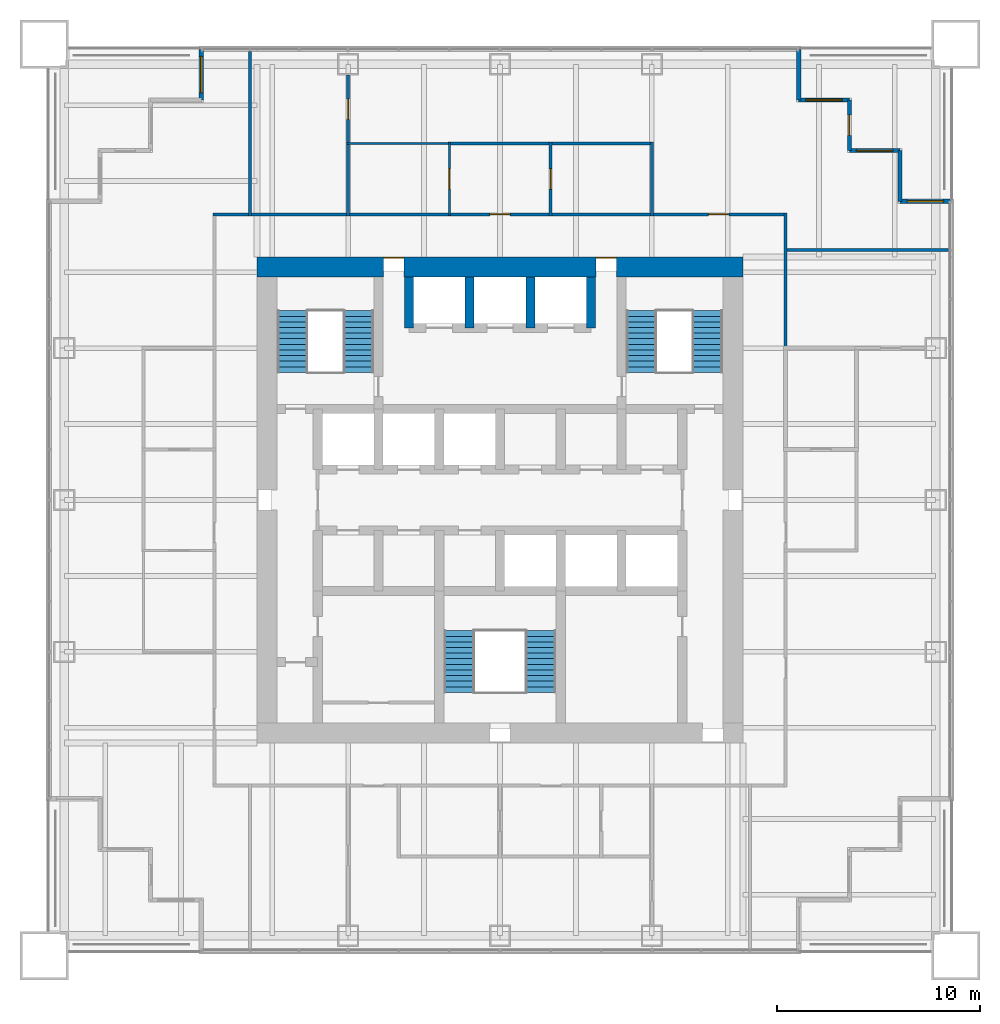
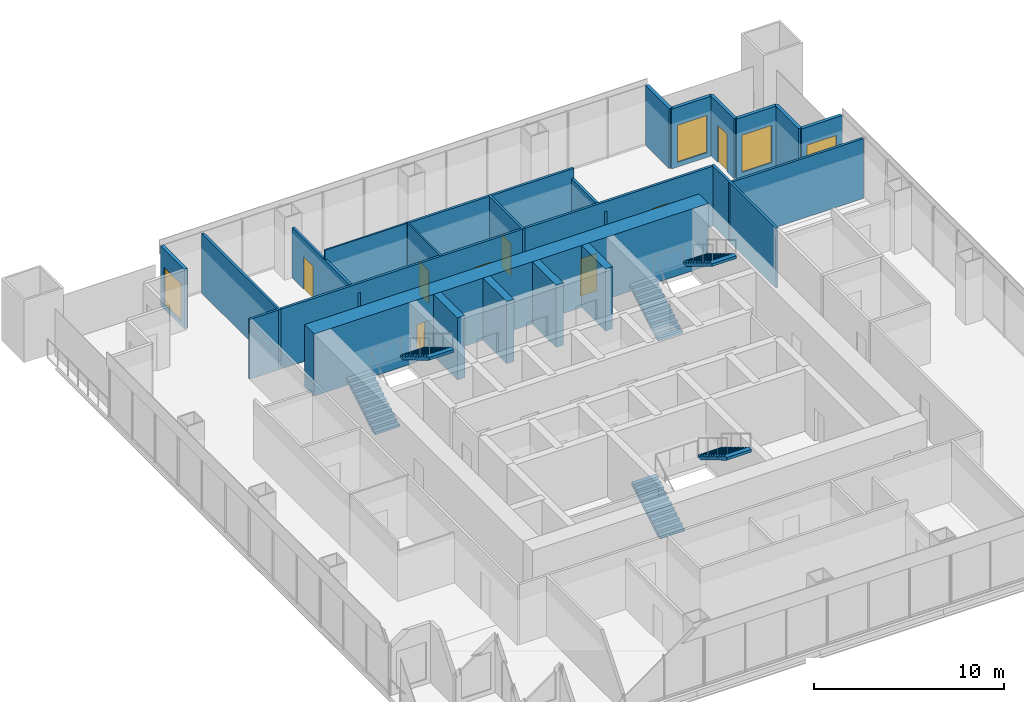
# One storey, part 11 of 13: 22 walls, 8 doors, 6 stair flights, 4 windows, 12 openings, 3 elements without a shape of their own.
"""IFC4 building model written with IfcOpenShell, lengths in metres."""

from ifc_helpers import new_model, si_unit, direction, frame, frame_2d, origin, place, context, subcontext, project, spatial, polyline, rectangle, outline, extrude, material, layer, layer_set, type_object, element, fill, aggregate, save


model = new_model("IFC4")

# Units and contexts
model_context = context("Model", 3, precision=1e-05, world=origin(), true_north=direction((0.0, 1.0)))
body_context = subcontext(model_context, "Body", "Model", "MODEL_VIEW")
ifc_project = project(units=[si_unit("LENGTHUNIT", "METRE"), si_unit("AREAUNIT", "SQUARE_METRE"), si_unit("VOLUMEUNIT", "CUBIC_METRE"), si_unit("PLANEANGLEUNIT", "RADIAN"), si_unit("MASSUNIT", "GRAM", prefix="KILO")], contexts=[model_context])

# Site, building, storey
site_placement = place(None, origin())
site = spatial("IfcSite", under=ifc_project, at=site_placement, CompositionType="ELEMENT")
building_placement = place(site_placement, origin())
building = spatial("IfcBuilding", under=site, at=building_placement, Name="Tarangal Relay Tower", CompositionType="ELEMENT")
storey_placement = place(building_placement, frame((0.0, 0.0, 209.89990234375)))
storey = spatial("IfcBuildingStorey", under=building, at=storey_placement, Name="L44", CompositionType="ELEMENT", Elevation=209.89990234375)

# Walls
ifc_material_1 = material(Name="Concrete fc' 60 MPa", Category="concrete")
ifc_layer_1 = layer(ifc_material_1, 0.449951171875)
ifc_layer_set_1 = layer_set([ifc_layer_1], Name="Core inner wall 450")
wall_type_1 = type_object("IfcWallType", Name="Core inner wall 450", PredefinedType="SHEAR", material=ifc_layer_set_1)
for number, where, z_axis, x_axis, name in (
    (1, (-4.5, 8.5, 0.0), (0.0, 0.0, 1.0), (0.0, 1.0, 0.0), "Core wall XM45 L44"),
    (2, (4.5, 8.5, 0.0), (0.0, 0.0, 1.0), (0.0, 1.0, 0.0), "Core wall X45 L44"),
    (3, (-1.5, 8.5, 0.0), (0.0, 0.0, 1.0), (0.0, 1.0, 0.0), "Core wall XM15 L44"),
    (4, (1.5, 8.5, 0.0), (0.0, 0.0, 1.0), (0.0, 1.0, 0.0), "Core wall X15 L44"),
):
    element("IfcWall", number, at=place(storey_placement, frame(where, z_axis=z_axis, x_axis=x_axis)), inside=storey, type_object=wall_type_1, Name=name, PredefinedType="SHEAR", context=body_context, shape_type="SweptSolid", body=[
        extrude(rectangle(XDim=2.5, YDim=0.449951171875, at=frame_2d((1.25, 0.0))), origin(), (0.0, 0.0, 1.0), 4.0),
    ])

# Wall, openings, doors
ifc_layer_2 = layer(ifc_material_1, 1.0)
ifc_layer_set_2 = layer_set([ifc_layer_2], Name="Core wall 1000")
wall_type_2 = type_object("IfcWallType", Name="Core wall 1000", PredefinedType="SHEAR", material=ifc_layer_set_2)
wall_1_placement = place(storey_placement, frame((-12.0, 11.5, 0.0), z_axis=(0.0, 0.0, 1.0), x_axis=(1.0, 0.0, 0.0)))
wall_1 = element("IfcWall", 5, at=wall_1_placement, inside=storey, type_object=wall_type_2, Name="Core wall N L44", PredefinedType="SHEAR", context=body_context, shape_type="SweptSolid", body=[
    extrude(rectangle(XDim=24.0, YDim=1.0, at=frame_2d((12.0, 0.0))), origin(), (0.0, 0.0, 1.0), 4.0),
])
opening_1_placement = place(wall_1_placement, frame((6.25, 0.0, 0.0)))
opening_1 = element("IfcOpeningElement", 6, at=opening_1_placement, cuts=wall_1, Name="Opening FD3", PredefinedType="OPENING", context=body_context, shape_type="SweptSolid", body=[
    extrude(rectangle(XDim=1.0, YDim=2.39990234375, at=frame_2d((0.5, 1.199951171875))), frame((0.0, 0.510009765625, 0.0), z_axis=(0.0, -1.0, 0.0), x_axis=(1.0, 0.0, 0.0)), (0.0, 0.0, 1.0), 1.02001953125),
])
opening_2_placement = place(wall_1_placement, frame((16.75, 0.0, 0.0)))
opening_2 = element("IfcOpeningElement", 7, at=opening_2_placement, cuts=wall_1, Name="Opening FD3", PredefinedType="OPENING", context=body_context, shape_type="SweptSolid", body=[
    extrude(rectangle(XDim=1.0, YDim=2.39990234375, at=frame_2d((0.5, 1.199951171875))), frame((0.0, 0.510009765625, 0.0), z_axis=(0.0, -1.0, 0.0), x_axis=(1.0, 0.0, 0.0)), (0.0, 0.0, 1.0), 1.02001953125),
])
ifc_material_2 = material(Name="Steel door with hardwood frame", Category="steel")
door_type_1 = type_object("IfcDoorType", Name="Fire door 1000 x 2400 core entry", OperationType="SINGLE_SWING_RIGHT", PredefinedType="DOOR", material=ifc_material_2)
door_1_placement = place(opening_1_placement, origin())
door_1 = element("IfcDoor", 8, at=door_1_placement, inside=storey, type_object=door_type_1, Name="Core entry door north west L44", OperationType="SINGLE_SWING_RIGHT", OverallHeight=2.39990234375, OverallWidth=1.0, PredefinedType="DOOR", context=body_context, shape_type="SweptSolid", body=[
    extrude(rectangle(XDim=1.0, YDim=2.39990234375, at=frame_2d((0.5, 1.199951171875))), frame((0.0, 0.48486328125, 0.0), z_axis=(0.0, -1.0, 0.0), x_axis=(1.0, 0.0, 0.0)), (0.0, 0.0, 1.0), 0.050048828125),
])
fill(opening_1, door_1)
door_2_placement = place(opening_2_placement, origin())
door_2 = element("IfcDoor", 9, at=door_2_placement, inside=storey, type_object=door_type_1, Name="Core entry door north east L44", OperationType="SINGLE_SWING_RIGHT", OverallHeight=2.39990234375, OverallWidth=1.0, PredefinedType="DOOR", context=body_context, shape_type="SweptSolid", body=[
    extrude(rectangle(XDim=1.0, YDim=2.39990234375, at=frame_2d((0.5, 1.199951171875))), frame((0.0, 0.48486328125, 0.0), z_axis=(0.0, -1.0, 0.0), x_axis=(1.0, 0.0, 0.0)), (0.0, 0.0, 1.0), 0.050048828125),
])
fill(opening_2, door_2)

# Wall
ifc_material_3 = material(Name="Black metal clad insulated wall", Category="steel")
ifc_layer_3 = layer(ifc_material_3, 0.199951171875)
ifc_layer_set_3 = layer_set([ifc_layer_3], Name="Corner wall metal clad 200")
wall_type_3 = type_object("IfcWallType", Name="Corner wall metal clad 200", PredefinedType="SOLIDWALL", material=ifc_layer_set_3)
wall_2_placement = place(storey_placement, frame((14.75, 22.25, 0.0), z_axis=(0.0, 0.0, 1.0), x_axis=(0.0, -1.0, 0.0)))
element("IfcWall", 10, at=wall_2_placement, inside=storey, type_object=wall_type_3, Name="Facade wall N facade L44", PredefinedType="SOLIDWALL", context=body_context, shape_type="SweptSolid", body=[
    extrude(rectangle(XDim=2.5, YDim=0.199951171875, at=frame_2d((1.25, 0.0))), origin(), (0.0, 0.0, 1.0), 3.85009765625),
])

# Wall, opening, window
wall_3_placement = place(storey_placement, frame((14.75, 19.75, 0.0), z_axis=(0.0, 0.0, 1.0), x_axis=(1.0, 0.0, 0.0)))
wall_3 = element("IfcWall", 11, at=wall_3_placement, inside=storey, type_object=wall_type_3, Name="Facade wall N facade L44", PredefinedType="SOLIDWALL", context=body_context, shape_type="SweptSolid", body=[
    extrude(rectangle(XDim=2.5, YDim=0.199951171875, at=frame_2d((1.25, 0.0))), origin(), (0.0, 0.0, 1.0), 3.85009765625),
])
opening_3_placement = place(wall_3_placement, frame((0.35009765625, 0.0, 0.300048828125)))
opening_3 = element("IfcOpeningElement", 12, at=opening_3_placement, cuts=wall_3, Name="Opening WN2", PredefinedType="OPENING", context=body_context, shape_type="SweptSolid", body=[
    extrude(rectangle(XDim=1.800048828125, YDim=2.39990234375, at=frame_2d((0.89990234375, 1.199951171875))), frame((0.0, 0.10986328125, 0.0), z_axis=(0.0, -1.0, 0.0), x_axis=(1.0, 0.0, 0.0)), (0.0, 0.0, 1.0), 0.219970703125),
])
ifc_material_4 = material(Name="Dark tinted double glazing in black aluminium frame", Category="aluminium")
window_type = type_object("IfcWindowType", Name="Corner window 1800 x 2400", PartitioningType="SINGLE_PANEL", PredefinedType="WINDOW", material=ifc_material_4)
window_1_placement = place(opening_3_placement, origin())
window_1 = element("IfcWindow", 13, at=window_1_placement, inside=storey, type_object=window_type, Name="Corner window WN2 N facade L44", OverallHeight=2.39990234375, OverallWidth=1.800048828125, PartitioningType="SINGLE_PANEL", PredefinedType="WINDOW", context=body_context, shape_type="SweptSolid", body=[
    extrude(rectangle(XDim=1.800048828125, YDim=2.39990234375, at=frame_2d((0.89990234375, 1.199951171875))), frame((0.0, 0.030029296875, 0.0), z_axis=(0.0, -1.0, 0.0), x_axis=(1.0, 0.0, 0.0)), (0.0, 0.0, 1.0), 0.06005859375),
])
fill(opening_3, window_1)

# Wall, opening, door
wall_4_placement = place(storey_placement, frame((17.25, 19.75, 0.0), z_axis=(0.0, 0.0, 1.0), x_axis=(0.0, -1.0, 0.0)))
wall_4 = element("IfcWall", 14, at=wall_4_placement, inside=storey, type_object=wall_type_3, Name="Facade wall N facade L44", PredefinedType="SOLIDWALL", context=body_context, shape_type="SweptSolid", body=[
    extrude(rectangle(XDim=2.5, YDim=0.199951171875, at=frame_2d((1.25, 0.0))), origin(), (0.0, 0.0, 1.0), 3.85009765625),
])
opening_4_placement = place(wall_4_placement, frame((0.75, 0.0, 0.0)))
opening_4 = element("IfcOpeningElement", 15, at=opening_4_placement, cuts=wall_4, Name="Opening TD1", PredefinedType="OPENING", context=body_context, shape_type="SweptSolid", body=[
    extrude(rectangle(XDim=1.0, YDim=2.39990234375, at=frame_2d((0.5, 1.199951171875))), frame((0.0, 0.10986328125, 0.0), z_axis=(0.0, -1.0, 0.0), x_axis=(1.0, 0.0, 0.0)), (0.0, 0.0, 1.0), 0.219970703125),
])
ifc_material_5 = material(Name="Aluminium glazed door", Category="aluminium")
door_type_2 = type_object("IfcDoorType", Name="Terrace door 1000 x 2400", OperationType="SINGLE_SWING_RIGHT", PredefinedType="DOOR", material=ifc_material_5)
door_3_placement = place(opening_4_placement, origin())
door_3 = element("IfcDoor", 16, at=door_3_placement, inside=storey, type_object=door_type_2, Name="Terrace door TD1 NE L44", OperationType="SINGLE_SWING_RIGHT", OverallHeight=2.39990234375, OverallWidth=1.0, PredefinedType="DOOR", context=body_context, shape_type="SweptSolid", body=[
    extrude(rectangle(XDim=1.0, YDim=2.39990234375, at=frame_2d((0.5, 1.199951171875))), frame((0.0, 0.02490234375, 0.0), z_axis=(0.0, -1.0, 0.0), x_axis=(1.0, 0.0, 0.0)), (0.0, 0.0, 1.0), 0.050048828125),
])
fill(opening_4, door_3)

# Wall, opening, window
wall_5_placement = place(storey_placement, frame((17.25, 17.25, 0.0), z_axis=(0.0, 0.0, 1.0), x_axis=(1.0, 0.0, 0.0)))
wall_5 = element("IfcWall", 17, at=wall_5_placement, inside=storey, type_object=wall_type_3, Name="Facade wall N facade L44", PredefinedType="SOLIDWALL", context=body_context, shape_type="SweptSolid", body=[
    extrude(rectangle(XDim=2.5, YDim=0.199951171875, at=frame_2d((1.25, 0.0))), origin(), (0.0, 0.0, 1.0), 3.85009765625),
])
opening_5_placement = place(wall_5_placement, frame((0.35009765625, 0.0, 0.300048828125)))
opening_5 = element("IfcOpeningElement", 18, at=opening_5_placement, cuts=wall_5, Name="Opening WN2", PredefinedType="OPENING", context=body_context, shape_type="SweptSolid", body=[
    extrude(rectangle(XDim=1.800048828125, YDim=2.39990234375, at=frame_2d((0.89990234375, 1.199951171875))), frame((0.0, 0.10986328125, 0.0), z_axis=(0.0, -1.0, 0.0), x_axis=(1.0, 0.0, 0.0)), (0.0, 0.0, 1.0), 0.219970703125),
])
window_2_placement = place(opening_5_placement, origin())
window_2 = element("IfcWindow", 19, at=window_2_placement, inside=storey, type_object=window_type, Name="Corner window WN2 N facade L44", OverallHeight=2.39990234375, OverallWidth=1.800048828125, PartitioningType="SINGLE_PANEL", PredefinedType="WINDOW", context=body_context, shape_type="SweptSolid", body=[
    extrude(rectangle(XDim=1.800048828125, YDim=2.39990234375, at=frame_2d((0.89990234375, 1.199951171875))), frame((0.0, 0.030029296875, 0.0), z_axis=(0.0, -1.0, 0.0), x_axis=(1.0, 0.0, 0.0)), (0.0, 0.0, 1.0), 0.06005859375),
])
fill(opening_5, window_2)

# Wall
wall_6_placement = place(storey_placement, frame((19.75, 17.25, 0.0), z_axis=(0.0, 0.0, 1.0), x_axis=(0.0, -1.0, 0.0)))
element("IfcWall", 20, at=wall_6_placement, inside=storey, type_object=wall_type_3, Name="Facade wall N facade L44", PredefinedType="SOLIDWALL", context=body_context, shape_type="SweptSolid", body=[
    extrude(rectangle(XDim=2.5, YDim=0.199951171875, at=frame_2d((1.25, 0.0))), origin(), (0.0, 0.0, 1.0), 3.85009765625),
])

# Wall, opening, window
wall_7_placement = place(storey_placement, frame((19.75, 14.75, 0.0), z_axis=(0.0, 0.0, 1.0), x_axis=(1.0, 0.0, 0.0)))
wall_7 = element("IfcWall", 21, at=wall_7_placement, inside=storey, type_object=wall_type_3, Name="Facade wall N facade L44", PredefinedType="SOLIDWALL", context=body_context, shape_type="SweptSolid", body=[
    extrude(rectangle(XDim=2.5, YDim=0.199951171875, at=frame_2d((1.25, 0.0))), origin(), (0.0, 0.0, 1.0), 3.85009765625),
])
opening_6_placement = place(wall_7_placement, frame((0.35009765625, 0.0, 0.300048828125)))
opening_6 = element("IfcOpeningElement", 22, at=opening_6_placement, cuts=wall_7, Name="Opening WN2", PredefinedType="OPENING", context=body_context, shape_type="SweptSolid", body=[
    extrude(rectangle(XDim=1.800048828125, YDim=2.39990234375, at=frame_2d((0.89990234375, 1.199951171875))), frame((0.0, 0.10986328125, 0.0), z_axis=(0.0, -1.0, 0.0), x_axis=(1.0, 0.0, 0.0)), (0.0, 0.0, 1.0), 0.219970703125),
])
window_3_placement = place(opening_6_placement, origin())
window_3 = element("IfcWindow", 23, at=window_3_placement, inside=storey, type_object=window_type, Name="Corner window WN2 N facade L44", OverallHeight=2.39990234375, OverallWidth=1.800048828125, PartitioningType="SINGLE_PANEL", PredefinedType="WINDOW", context=body_context, shape_type="SweptSolid", body=[
    extrude(rectangle(XDim=1.800048828125, YDim=2.39990234375, at=frame_2d((0.89990234375, 1.199951171875))), frame((0.0, 0.030029296875, 0.0), z_axis=(0.0, -1.0, 0.0), x_axis=(1.0, 0.0, 0.0)), (0.0, 0.0, 1.0), 0.06005859375),
])
fill(opening_6, window_3)

wall_8_placement = place(storey_placement, frame((-14.75, 19.75, 0.0), z_axis=(0.0, 0.0, 1.0), x_axis=(0.0, 1.0, 0.0)))
wall_8 = element("IfcWall", 24, at=wall_8_placement, inside=storey, type_object=wall_type_3, Name="Facade wall W facade L44", PredefinedType="SOLIDWALL", context=body_context, shape_type="SweptSolid", body=[
    extrude(rectangle(XDim=2.5, YDim=0.199951171875, at=frame_2d((1.25, 0.0))), origin(), (0.0, 0.0, 1.0), 3.85009765625),
])
opening_7_placement = place(wall_8_placement, frame((0.35009765625, 0.0, 0.300048828125)))
opening_7 = element("IfcOpeningElement", 25, at=opening_7_placement, cuts=wall_8, Name="Opening WN2", PredefinedType="OPENING", context=body_context, shape_type="SweptSolid", body=[
    extrude(rectangle(XDim=1.800048828125, YDim=2.39990234375, at=frame_2d((0.89990234375, 1.199951171875))), frame((0.0, 0.10986328125, 0.0), z_axis=(0.0, -1.0, 0.0), x_axis=(1.0, 0.0, 0.0)), (0.0, 0.0, 1.0), 0.219970703125),
])
window_4_placement = place(opening_7_placement, origin())
window_4 = element("IfcWindow", 26, at=window_4_placement, inside=storey, type_object=window_type, Name="Corner window WN2 W facade L44", OverallHeight=2.39990234375, OverallWidth=1.800048828125, PartitioningType="SINGLE_PANEL", PredefinedType="WINDOW", context=body_context, shape_type="SweptSolid", body=[
    extrude(rectangle(XDim=1.800048828125, YDim=2.39990234375, at=frame_2d((0.89990234375, 1.199951171875))), frame((0.0, 0.030029296875, 0.0), z_axis=(0.0, -1.0, 0.0), x_axis=(1.0, 0.0, 0.0)), (0.0, 0.0, 1.0), 0.06005859375),
])
fill(opening_7, window_4)

# Wall
ifc_material_6 = material(Name="Double glazed aluminium framed partition", Category="aluminium")
ifc_layer_4 = layer(ifc_material_6, 0.10009765625)
ifc_layer_set_4 = layer_set([ifc_layer_4], Name="Glazed partition 100")
wall_type_4 = type_object("IfcWallType", Name="Glazed partition 100", PredefinedType="PARTITIONING", material=ifc_layer_set_4)
wall_9_placement = place(storey_placement, frame((-7.550048828125, 17.60009765625, 0.0), z_axis=(0.0, 0.0, 1.0), x_axis=(1.0, 0.0, 0.0)))
element("IfcWall", 27, at=wall_9_placement, inside=storey, type_object=wall_type_4, Name="Partition PT3 L44", PredefinedType="PARTITIONING", context=body_context, shape_type="SweptSolid", body=[
    extrude(rectangle(XDim=5.10009765625, YDim=0.10009765625, at=frame_2d((2.550048828125, 0.0))), origin(), (0.0, 0.0, 1.0), 3.85009765625),
])

# Wall, opening, door
wall_10_placement = place(storey_placement, frame((-2.5, 14.050048828125, 0.0), z_axis=(0.0, 0.0, 1.0), x_axis=(0.0, 1.0, 0.0)))
wall_10 = element("IfcWall", 28, at=wall_10_placement, inside=storey, type_object=wall_type_4, Name="Partition PT3 L44", PredefinedType="PARTITIONING", context=body_context, shape_type="SweptSolid", body=[
    extrude(rectangle(XDim=3.599853515625, YDim=0.10009765625, at=frame_2d((1.7998046875, 0.0))), origin(), (0.0, 0.0, 1.0), 3.85009765625),
])
opening_8_placement = place(wall_10_placement, frame((1.300048828125, 0.0, 0.0)))
opening_8 = element("IfcOpeningElement", 29, at=opening_8_placement, cuts=wall_10, Name="Opening D3", PredefinedType="OPENING", context=body_context, shape_type="SweptSolid", body=[
    extrude(rectangle(XDim=1.0, YDim=2.10009765625, at=frame_2d((0.5, 1.050048828125))), frame((0.0, 0.06005859375, 0.0), z_axis=(0.0, -1.0, 0.0), x_axis=(1.0, 0.0, 0.0)), (0.0, 0.0, 1.0), 0.1201171875),
])
ifc_material_7 = material(Name="Frameless glass door", Category="glass")
door_type_3 = type_object("IfcDoorType", Name="Glazed door 1000 x 2100", OperationType="SINGLE_SWING_LEFT", PredefinedType="DOOR", material=ifc_material_7)
door_4_placement = place(opening_8_placement, origin())
door_4 = element("IfcDoor", 30, at=door_4_placement, inside=storey, type_object=door_type_3, Name="Door D3 to meeting room L44-03", OperationType="SINGLE_SWING_LEFT", OverallHeight=2.10009765625, OverallWidth=1.0, PredefinedType="DOOR", context=body_context, shape_type="SweptSolid", body=[
    extrude(rectangle(XDim=1.0, YDim=2.10009765625, at=frame_2d((0.5, 1.050048828125))), frame((0.0, 0.02490234375, 0.0), z_axis=(0.0, -1.0, 0.0), x_axis=(1.0, 0.0, 0.0)), (0.0, 0.0, 1.0), 0.050048828125),
])
fill(opening_8, door_4)

# Wall
ifc_material_8 = material(Name="Gypsum board on steel studs", Category="steel")
ifc_layer_5 = layer(ifc_material_8, 0.14990234375)
ifc_layer_set_5 = layer_set([ifc_layer_5], Name="Partition 150")
wall_type_5 = type_object("IfcWallType", Name="Partition 150", PredefinedType="PARTITIONING", material=ifc_layer_set_5)
wall_11_placement = place(storey_placement, frame((14.02490234375, 12.3330078125, 0.0), z_axis=(0.0, 0.0, 1.0), x_axis=(1.0, 0.0, 0.0)))
element("IfcWall", 31, at=wall_11_placement, inside=storey, type_object=wall_type_5, Name="Partition PT1 L44", PredefinedType="PARTITIONING", context=body_context, shape_type="SweptSolid", body=[
    extrude(rectangle(XDim=8.125, YDim=0.14990234375, at=frame_2d((4.0625, 0.0))), origin(), (0.0, 0.0, 1.0), 3.85009765625),
])

# Wall, openings, doors
wall_12_placement = place(storey_placement, frame((-14.175048828125, 14.10009765625, 0.0), z_axis=(0.0, 0.0, 1.0), x_axis=(1.0, 0.0, 0.0)))
wall_12 = element("IfcWall", 32, at=wall_12_placement, inside=storey, type_object=wall_type_5, Name="Partition PT1 L44", PredefinedType="PARTITIONING", context=body_context, shape_type="SweptSolid", body=[
    extrude(rectangle(XDim=28.35009765625, YDim=0.14990234375, at=frame_2d((14.175048828125, 0.0))), origin(), (0.0, 0.0, 1.0), 3.85009765625),
])
opening_9_placement = place(wall_12_placement, frame((13.675048828125, 0.0, 0.0)))
opening_9 = element("IfcOpeningElement", 33, at=opening_9_placement, cuts=wall_12, Name="Opening SD1", PredefinedType="OPENING", context=body_context, shape_type="SweptSolid", body=[
    extrude(rectangle(XDim=1.0, YDim=2.39990234375, at=frame_2d((0.5, 1.199951171875))), frame((0.0, 0.0849609375, 0.0), z_axis=(0.0, -1.0, 0.0), x_axis=(1.0, 0.0, 0.0)), (0.0, 0.0, 1.0), 0.169921875),
])
opening_10_placement = place(wall_12_placement, frame((24.47509765625, 0.0, 0.0)))
opening_10 = element("IfcOpeningElement", 34, at=opening_10_placement, cuts=wall_12, Name="Opening SD1", PredefinedType="OPENING", context=body_context, shape_type="SweptSolid", body=[
    extrude(rectangle(XDim=1.0, YDim=2.39990234375, at=frame_2d((0.5, 1.199951171875))), frame((0.0, 0.0849609375, 0.0), z_axis=(0.0, -1.0, 0.0), x_axis=(1.0, 0.0, 0.0)), (0.0, 0.0, 1.0), 0.169921875),
])
door_type_4 = type_object("IfcDoorType", Name="Suite entrance door 1000 x 2400", OperationType="SINGLE_SWING_RIGHT", PredefinedType="DOOR", material=ifc_material_2)
door_5_placement = place(opening_9_placement, origin())
door_5 = element("IfcDoor", 35, at=door_5_placement, inside=storey, type_object=door_type_4, Name="Door SD1 to reception L44-04", OperationType="SINGLE_SWING_RIGHT", OverallHeight=2.39990234375, OverallWidth=1.0, PredefinedType="DOOR", context=body_context, shape_type="SweptSolid", body=[
    extrude(rectangle(XDim=1.0, YDim=2.39990234375, at=frame_2d((0.5, 1.199951171875))), frame((0.0, 0.02490234375, 0.0), z_axis=(0.0, -1.0, 0.0), x_axis=(1.0, 0.0, 0.0)), (0.0, 0.0, 1.0), 0.050048828125),
])
fill(opening_9, door_5)
door_6_placement = place(opening_10_placement, origin())
door_6 = element("IfcDoor", 36, at=door_6_placement, inside=storey, type_object=door_type_4, Name="Door SD1 to open plan office L44-18", OperationType="SINGLE_SWING_RIGHT", OverallHeight=2.39990234375, OverallWidth=1.0, PredefinedType="DOOR", context=body_context, shape_type="SweptSolid", body=[
    extrude(rectangle(XDim=1.0, YDim=2.39990234375, at=frame_2d((0.5, 1.199951171875))), frame((0.0, 0.02490234375, 0.0), z_axis=(0.0, -1.0, 0.0), x_axis=(1.0, 0.0, 0.0)), (0.0, 0.0, 1.0), 0.050048828125),
])
fill(opening_10, door_6)

# Walls
wall_13_placement = place(storey_placement, frame((-2.574951171875, 17.60009765625, 0.0), z_axis=(0.0, 0.0, 1.0), x_axis=(1.0, 0.0, 0.0)))
element("IfcWall", 37, at=wall_13_placement, inside=storey, type_object=wall_type_5, Name="Partition PT1 L44", PredefinedType="PARTITIONING", context=body_context, shape_type="SweptSolid", body=[
    extrude(rectangle(XDim=10.14990234375, YDim=0.14990234375, at=frame_2d((5.074951171875, 0.0))), origin(), (0.0, 0.0, 1.0), 3.85009765625),
])
wall_14_placement = place(storey_placement, frame((-12.3330078125, 14.02490234375, 0.0), z_axis=(0.0, 0.0, 1.0), x_axis=(0.0, 1.0, 0.0)))
element("IfcWall", 38, at=wall_14_placement, inside=storey, type_object=wall_type_5, Name="Partition PT1 L44", PredefinedType="PARTITIONING", context=body_context, shape_type="SweptSolid", body=[
    extrude(rectangle(XDim=8.125, YDim=0.14990234375, at=frame_2d((4.0625, 0.0))), origin(), (0.0, 0.0, 1.0), 3.85009765625),
])

# Wall, opening, door
wall_15_placement = place(storey_placement, frame((-7.5, 14.02490234375, 0.0), z_axis=(0.0, 0.0, 1.0), x_axis=(0.0, 1.0, 0.0)))
wall_15 = element("IfcWall", 39, at=wall_15_placement, inside=storey, type_object=wall_type_5, Name="Partition PT1 L44", PredefinedType="PARTITIONING", context=body_context, shape_type="SweptSolid", body=[
    extrude(rectangle(XDim=6.965087890625, YDim=0.14990234375, at=frame_2d((3.482421875, 0.0))), origin(), (0.0, 0.0, 1.0), 3.238037109375),
])
opening_11_placement = place(wall_15_placement, frame((4.77001953125, 0.0, 0.0)))
opening_11 = element("IfcOpeningElement", 40, at=opening_11_placement, cuts=wall_15, Name="Opening D2", PredefinedType="OPENING", context=body_context, shape_type="SweptSolid", body=[
    extrude(rectangle(XDim=1.0, YDim=2.10009765625, at=frame_2d((0.5, 1.050048828125))), frame((0.0, 0.0849609375, 0.0), z_axis=(0.0, -1.0, 0.0), x_axis=(1.0, 0.0, 0.0)), (0.0, 0.0, 1.0), 0.169921875),
])
ifc_material_9 = material(Name="Hardwood door", Category="wood")
door_type_5 = type_object("IfcDoorType", Name="Door 1000 x 2100", OperationType="SINGLE_SWING_LEFT", PredefinedType="DOOR", material=ifc_material_9)
door_7_placement = place(opening_11_placement, origin())
door_7 = element("IfcDoor", 41, at=door_7_placement, inside=storey, type_object=door_type_5, Name="Door D2 to executive office L44-02", OperationType="SINGLE_SWING_LEFT", OverallHeight=2.10009765625, OverallWidth=1.0, PredefinedType="DOOR", context=body_context, shape_type="SweptSolid", body=[
    extrude(rectangle(XDim=1.0, YDim=2.10009765625, at=frame_2d((0.5, 1.050048828125))), frame((0.0, 0.02490234375, 0.0), z_axis=(0.0, -1.0, 0.0), x_axis=(1.0, 0.0, 0.0)), (0.0, 0.0, 1.0), 0.050048828125),
])
fill(opening_11, door_7)

wall_16_placement = place(storey_placement, frame((2.5, 14.02490234375, 0.0), z_axis=(0.0, 0.0, 1.0), x_axis=(0.0, 1.0, 0.0)))
wall_16 = element("IfcWall", 42, at=wall_16_placement, inside=storey, type_object=wall_type_5, Name="Partition PT1 L44", PredefinedType="PARTITIONING", context=body_context, shape_type="SweptSolid", body=[
    extrude(rectangle(XDim=3.650146484375, YDim=0.14990234375, at=frame_2d((1.8251953125, 0.0))), origin(), (0.0, 0.0, 1.0), 3.85009765625),
])
opening_12_placement = place(wall_16_placement, frame((1.324951171875, 0.0, 0.0)))
opening_12 = element("IfcOpeningElement", 43, at=opening_12_placement, cuts=wall_16, Name="Opening D2", PredefinedType="OPENING", context=body_context, shape_type="SweptSolid", body=[
    extrude(rectangle(XDim=1.0, YDim=2.10009765625, at=frame_2d((0.5, 1.050048828125))), frame((0.0, 0.0849609375, 0.0), z_axis=(0.0, -1.0, 0.0), x_axis=(1.0, 0.0, 0.0)), (0.0, 0.0, 1.0), 0.169921875),
])
door_8_placement = place(opening_12_placement, origin())
door_8 = element("IfcDoor", 44, at=door_8_placement, inside=storey, type_object=door_type_5, Name="Door D2 to tea pantry L44-05", OperationType="SINGLE_SWING_LEFT", OverallHeight=2.10009765625, OverallWidth=1.0, PredefinedType="DOOR", context=body_context, shape_type="SweptSolid", body=[
    extrude(rectangle(XDim=1.0, YDim=2.10009765625, at=frame_2d((0.5, 1.050048828125))), frame((0.0, 0.02490234375, 0.0), z_axis=(0.0, -1.0, 0.0), x_axis=(1.0, 0.0, 0.0)), (0.0, 0.0, 1.0), 0.050048828125),
])
fill(opening_12, door_8)

# Walls
wall_17_placement = place(storey_placement, frame((7.5, 14.02490234375, 0.0), z_axis=(0.0, 0.0, 1.0), x_axis=(0.0, 1.0, 0.0)))
element("IfcWall", 45, at=wall_17_placement, inside=storey, type_object=wall_type_5, Name="Partition PT1 L44", PredefinedType="PARTITIONING", context=body_context, shape_type="SweptSolid", body=[
    extrude(rectangle(XDim=3.650146484375, YDim=0.14990234375, at=frame_2d((1.8251953125, 0.0))), origin(), (0.0, 0.0, 1.0), 3.238037109375),
])
wall_18_placement = place(storey_placement, frame((14.10009765625, 7.425048828125, 0.0), z_axis=(0.0, 0.0, 1.0), x_axis=(0.0, 1.0, 0.0)))
element("IfcWall", 46, at=wall_18_placement, inside=storey, type_object=wall_type_5, Name="Partition PT1 L44", PredefinedType="PARTITIONING", context=body_context, shape_type="SweptSolid", body=[
    extrude(rectangle(XDim=6.75, YDim=0.14990234375, at=frame_2d((3.375, 0.0))), origin(), (0.0, 0.0, 1.0), 3.85009765625),
])

# Stair, stair flights
ifc_material_10 = material(Name="Steel ASTM A992 stair flight", Category="steel")
stair_type = type_object("IfcStairType", Name="Core stair 1500", PredefinedType="HALF_TURN_STAIR", material=ifc_material_10)
stair_1_placement = place(storey_placement, origin())
stair_1 = element("IfcStair", 47, at=stair_1_placement, inside=storey, type_object=stair_type, Name="Stair ST-A L44", PredefinedType="HALF_TURN_STAIR")
stair_flight_type = type_object("IfcStairFlightType", Name="Steel stair flight 1500, 12 risers 167 x 277", PredefinedType="STRAIGHT", material=ifc_material_10)
stair_flight_1_placement = place(storey_placement, frame((-10.25, 6.300048828125, 0.0), z_axis=(0.0, 0.0, 1.0), x_axis=(0.0, 1.0, 0.0)))
stair_flight_1 = element("IfcStairFlight", 48, at=stair_flight_1_placement, type_object=stair_flight_type, Name="ST-A flight 1", NumberOfRisers=12, NumberOfTreads=11, PredefinedType="STRAIGHT", RiserHeight=0.166666667, TreadLength=0.277, context=body_context, shape_type="SweptSolid", body=[
    extrude(outline(polyline([(0.0, 0.0), (0.0, 0.166748046875), (0.277099609375, 0.166748046875), (0.277099609375, 0.333251953125), (0.553955078125, 0.333251953125), (0.553955078125, 0.5), (0.8310546875, 0.5), (0.8310546875, 0.666748046875), (1.10791015625, 0.666748046875), (1.10791015625, 0.833251953125), (1.385009765625, 0.833251953125), (1.385009765625, 1.0), (1.662109375, 1.0), (1.662109375, 1.166748046875), (1.93896484375, 1.166748046875), (1.93896484375, 1.333251953125), (2.216064453125, 1.333251953125), (2.216064453125, 1.5), (2.492919921875, 1.5), (2.492919921875, 1.666748046875), (2.77001953125, 1.666748046875), (2.77001953125, 1.833251953125), (3.047119140625, 1.833251953125), (3.047119140625, 2.0), (3.047119140625, 1.658447265625), (0.290771484375, 0.0), (0.0, 0.0)])), frame((0.0, 0.75, 0.0), z_axis=(0.0, -1.0, 0.0), x_axis=(1.0, 0.0, 0.0)), (0.0, 0.0, 1.0), 1.5),
])
stair_flight_2_placement = place(storey_placement, frame((-6.97509765625, 9.346923828125, 2.0), z_axis=(0.0, 0.0, 1.0), x_axis=(0.0, -1.0, 0.0)))
stair_flight_2 = element("IfcStairFlight", 49, at=stair_flight_2_placement, type_object=stair_flight_type, Name="ST-A flight 2", NumberOfRisers=12, NumberOfTreads=11, PredefinedType="STRAIGHT", RiserHeight=0.166666667, TreadLength=0.277, context=body_context, shape_type="SweptSolid", body=[
    extrude(outline(polyline([(0.0, 0.0), (0.0, 0.166748046875), (0.277099609375, 0.166748046875), (0.277099609375, 0.333251953125), (0.553955078125, 0.333251953125), (0.553955078125, 0.5), (0.8310546875, 0.5), (0.8310546875, 0.666748046875), (1.10791015625, 0.666748046875), (1.10791015625, 0.833251953125), (1.385009765625, 0.833251953125), (1.385009765625, 1.0), (1.662109375, 1.0), (1.662109375, 1.166748046875), (1.93896484375, 1.166748046875), (1.93896484375, 1.333251953125), (2.216064453125, 1.333251953125), (2.216064453125, 1.5), (2.492919921875, 1.5), (2.492919921875, 1.666748046875), (2.77001953125, 1.666748046875), (2.77001953125, 1.833251953125), (3.047119140625, 1.833251953125), (3.047119140625, 2.0), (3.047119140625, 1.658447265625), (0.290771484375, 0.0), (0.0, 0.0)])), frame((0.0, 0.75, 0.0), z_axis=(0.0, -1.0, 0.0), x_axis=(1.0, 0.0, 0.0)), (0.0, 0.0, 1.0), 1.5),
])
aggregate(stair_1, [stair_flight_1, stair_flight_2])

stair_2_placement = place(storey_placement, origin())
stair_2 = element("IfcStair", 50, at=stair_2_placement, inside=storey, type_object=stair_type, Name="Stair ST-B L44", PredefinedType="HALF_TURN_STAIR")
stair_flight_3_placement = place(storey_placement, frame((6.97509765625, 6.300048828125, 0.0), z_axis=(0.0, 0.0, 1.0), x_axis=(0.0, 1.0, 0.0)))
stair_flight_3 = element("IfcStairFlight", 51, at=stair_flight_3_placement, type_object=stair_flight_type, Name="ST-B flight 1", NumberOfRisers=12, NumberOfTreads=11, PredefinedType="STRAIGHT", RiserHeight=0.166666667, TreadLength=0.277, context=body_context, shape_type="SweptSolid", body=[
    extrude(outline(polyline([(0.0, 0.0), (0.0, 0.166748046875), (0.277099609375, 0.166748046875), (0.277099609375, 0.333251953125), (0.553955078125, 0.333251953125), (0.553955078125, 0.5), (0.8310546875, 0.5), (0.8310546875, 0.666748046875), (1.10791015625, 0.666748046875), (1.10791015625, 0.833251953125), (1.385009765625, 0.833251953125), (1.385009765625, 1.0), (1.662109375, 1.0), (1.662109375, 1.166748046875), (1.93896484375, 1.166748046875), (1.93896484375, 1.333251953125), (2.216064453125, 1.333251953125), (2.216064453125, 1.5), (2.492919921875, 1.5), (2.492919921875, 1.666748046875), (2.77001953125, 1.666748046875), (2.77001953125, 1.833251953125), (3.047119140625, 1.833251953125), (3.047119140625, 2.0), (3.047119140625, 1.658447265625), (0.290771484375, 0.0), (0.0, 0.0)])), frame((0.0, 0.75, 0.0), z_axis=(0.0, -1.0, 0.0), x_axis=(1.0, 0.0, 0.0)), (0.0, 0.0, 1.0), 1.5),
])
stair_flight_4_placement = place(storey_placement, frame((10.25, 9.346923828125, 2.0), z_axis=(0.0, 0.0, 1.0), x_axis=(0.0, -1.0, 0.0)))
stair_flight_4 = element("IfcStairFlight", 52, at=stair_flight_4_placement, type_object=stair_flight_type, Name="ST-B flight 2", NumberOfRisers=12, NumberOfTreads=11, PredefinedType="STRAIGHT", RiserHeight=0.166666667, TreadLength=0.277, context=body_context, shape_type="SweptSolid", body=[
    extrude(outline(polyline([(0.0, 0.0), (0.0, 0.166748046875), (0.277099609375, 0.166748046875), (0.277099609375, 0.333251953125), (0.553955078125, 0.333251953125), (0.553955078125, 0.5), (0.8310546875, 0.5), (0.8310546875, 0.666748046875), (1.10791015625, 0.666748046875), (1.10791015625, 0.833251953125), (1.385009765625, 0.833251953125), (1.385009765625, 1.0), (1.662109375, 1.0), (1.662109375, 1.166748046875), (1.93896484375, 1.166748046875), (1.93896484375, 1.333251953125), (2.216064453125, 1.333251953125), (2.216064453125, 1.5), (2.492919921875, 1.5), (2.492919921875, 1.666748046875), (2.77001953125, 1.666748046875), (2.77001953125, 1.833251953125), (3.047119140625, 1.833251953125), (3.047119140625, 2.0), (3.047119140625, 1.658447265625), (0.290771484375, 0.0), (0.0, 0.0)])), frame((0.0, 0.75, 0.0), z_axis=(0.0, -1.0, 0.0), x_axis=(1.0, 0.0, 0.0)), (0.0, 0.0, 1.0), 1.5),
])
aggregate(stair_2, [stair_flight_3, stair_flight_4])

stair_3_placement = place(storey_placement, origin())
stair_3 = element("IfcStair", 53, at=stair_3_placement, inside=storey, type_object=stair_type, Name="Stair ST-C L44", PredefinedType="HALF_TURN_STAIR")
stair_flight_5_placement = place(storey_placement, frame((-2.02490234375, -9.5, 0.0), z_axis=(0.0, 0.0, 1.0), x_axis=(0.0, 1.0, 0.0)))
stair_flight_5 = element("IfcStairFlight", 54, at=stair_flight_5_placement, type_object=stair_flight_type, Name="ST-C flight 1", NumberOfRisers=12, NumberOfTreads=11, PredefinedType="STRAIGHT", RiserHeight=0.166666667, TreadLength=0.277, context=body_context, shape_type="SweptSolid", body=[
    extrude(outline(polyline([(0.0, 0.0), (0.0, 0.166748046875), (0.277099609375, 0.166748046875), (0.277099609375, 0.333251953125), (0.553955078125, 0.333251953125), (0.553955078125, 0.5), (0.8310546875, 0.5), (0.8310546875, 0.666748046875), (1.10791015625, 0.666748046875), (1.10791015625, 0.833251953125), (1.385009765625, 0.833251953125), (1.385009765625, 1.0), (1.662109375, 1.0), (1.662109375, 1.166748046875), (1.93896484375, 1.166748046875), (1.93896484375, 1.333251953125), (2.216064453125, 1.333251953125), (2.216064453125, 1.5), (2.492919921875, 1.5), (2.492919921875, 1.666748046875), (2.77001953125, 1.666748046875), (2.77001953125, 1.833251953125), (3.047119140625, 1.833251953125), (3.047119140625, 2.0), (3.047119140625, 1.658447265625), (0.290771484375, 0.0), (0.0, 0.0)])), frame((0.0, 0.75, 0.0), z_axis=(0.0, -1.0, 0.0), x_axis=(1.0, 0.0, 0.0)), (0.0, 0.0, 1.0), 1.5),
])
stair_flight_6_placement = place(storey_placement, frame((2.02490234375, -6.452880859375, 2.0), z_axis=(0.0, 0.0, 1.0), x_axis=(0.0, -1.0, 0.0)))
stair_flight_6 = element("IfcStairFlight", 55, at=stair_flight_6_placement, type_object=stair_flight_type, Name="ST-C flight 2", NumberOfRisers=12, NumberOfTreads=11, PredefinedType="STRAIGHT", RiserHeight=0.166666667, TreadLength=0.277, context=body_context, shape_type="SweptSolid", body=[
    extrude(outline(polyline([(0.0, 0.0), (0.0, 0.166748046875), (0.277099609375, 0.166748046875), (0.277099609375, 0.333251953125), (0.553955078125, 0.333251953125), (0.553955078125, 0.5), (0.8310546875, 0.5), (0.8310546875, 0.666748046875), (1.10791015625, 0.666748046875), (1.10791015625, 0.833251953125), (1.385009765625, 0.833251953125), (1.385009765625, 1.0), (1.662109375, 1.0), (1.662109375, 1.166748046875), (1.93896484375, 1.166748046875), (1.93896484375, 1.333251953125), (2.216064453125, 1.333251953125), (2.216064453125, 1.5), (2.492919921875, 1.5), (2.492919921875, 1.666748046875), (2.77001953125, 1.666748046875), (2.77001953125, 1.833251953125), (3.047119140625, 1.833251953125), (3.047119140625, 2.0), (3.047119140625, 1.658447265625), (0.290771484375, 0.0), (0.0, 0.0)])), frame((0.0, 0.75, 0.0), z_axis=(0.0, -1.0, 0.0), x_axis=(1.0, 0.0, 0.0)), (0.0, 0.0, 1.0), 1.5),
])
aggregate(stair_3, [stair_flight_5, stair_flight_6])

save(model, "model.ifc")
